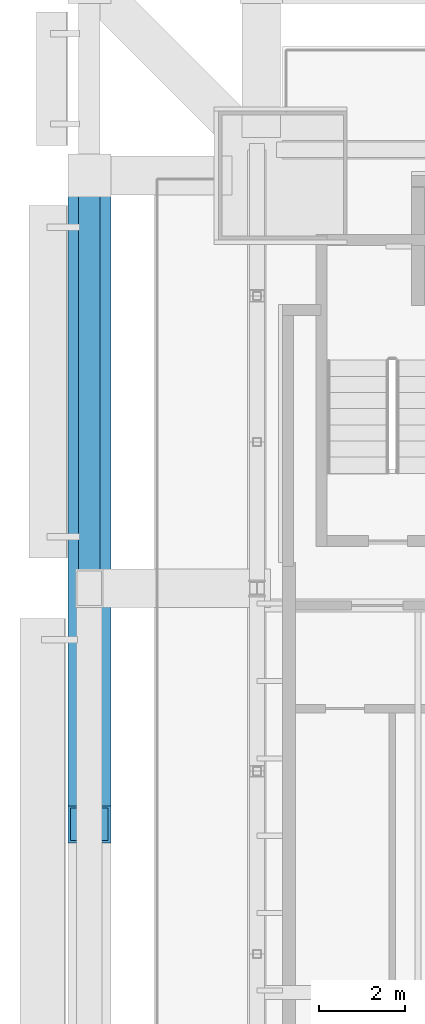
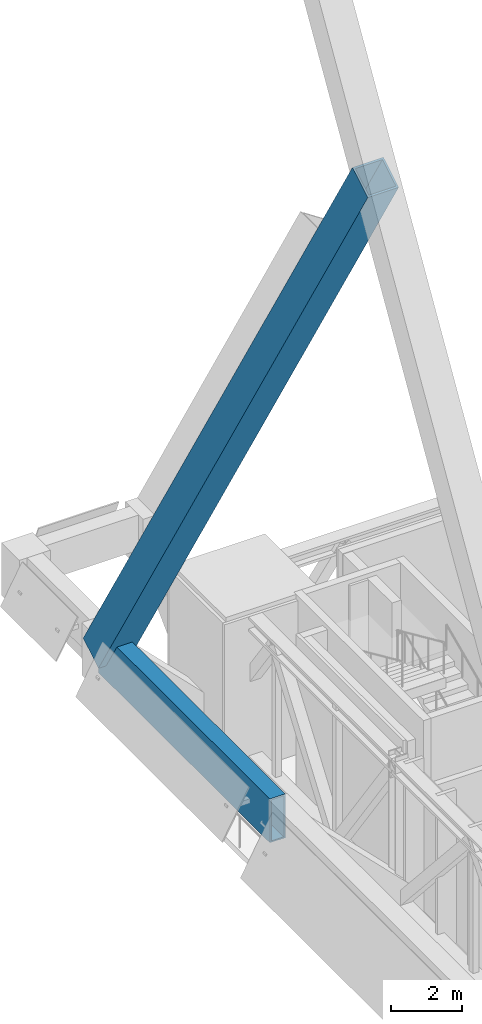
# One storey, part 8 of 32: 1 beam, 1 member.
"""IFC4 building model written with IfcOpenShell, lengths in metres."""

from ifc_helpers import new_model, si_unit, direction, frame, origin, origin_2d, place, context, subcontext, project, spatial, hollow_rectangle, extrude, material, material_profile, profile_set, type_object, element, save


model = new_model("IFC4")

# Units and contexts
model_context = context("Model", 3, precision=1e-05, world=origin(), true_north=direction((0.0, 1.0)))
body_context = subcontext(model_context, "Body", "Model", "MODEL_VIEW")
ifc_project = project(units=[si_unit("LENGTHUNIT", "METRE"), si_unit("AREAUNIT", "SQUARE_METRE"), si_unit("VOLUMEUNIT", "CUBIC_METRE"), si_unit("PLANEANGLEUNIT", "RADIAN"), si_unit("MASSUNIT", "GRAM", prefix="KILO")], contexts=[model_context])

# Site, building, storey
site_placement = place(None, origin())
site = spatial("IfcSite", under=ifc_project, at=site_placement, CompositionType="ELEMENT")
building_placement = place(site_placement, origin())
building = spatial("IfcBuilding", under=site, at=building_placement, Name="Bicima Exchange Tower", CompositionType="ELEMENT")
storey_placement = place(building_placement, frame((0.0, 0.0, 135.0)))
storey = spatial("IfcBuildingStorey", under=building, at=storey_placement, Name="L29", CompositionType="ELEMENT", Elevation=135.0)

# Beam
ifc_material = material(Name="Steel ASTM A572 Gr 50", Category="steel")
ifc_material_profile_1 = material_profile(ifc_material, hollow_rectangle(XDim=0.5, YDim=1.5, WallThickness=0.050048828125, at=origin_2d()))
ifc_profile_set_1 = profile_set([ifc_material_profile_1], Name="Steel ASTM A572 Gr 50")
beam_type = type_object("IfcBeamType", Name="Belt girder BOX 500x1500x50", PredefinedType="BEAM", material=ifc_profile_set_1)
beam_placement = place(storey_placement, frame((-37.5, -3.0, 4.5), z_axis=(0.0, -1.0, 0.0), x_axis=(1.0, 0.0, 0.0)))
element("IfcBeam", 1, at=beam_placement, inside=storey, type_object=beam_type, Name="Belt girder", PredefinedType="BEAM", context=body_context, shape_type="SweptSolid", body=[
    extrude(hollow_rectangle(XDim=0.5, YDim=1.5, WallThickness=0.050048828125, at=origin_2d()), origin(), (0.0, 0.0, 1.0), 9.60009765625),
])

# Member
ifc_material_profile_2 = material_profile(ifc_material, hollow_rectangle(XDim=1.0, YDim=1.0, WallThickness=0.06005859375, at=origin_2d()))
ifc_profile_set_2 = profile_set([ifc_material_profile_2], Name="Steel ASTM A572 Gr 50")
member_type = type_object("IfcMemberType", Name="Exo mega brace BOX 1000x1000x60", PredefinedType="BRACE", material=ifc_profile_set_2)
member_placement = place(storey_placement, frame((-37.5, -3.0, 4.5), z_axis=(0.0, -0.513052396065, 0.858357290929), x_axis=(1.0, 0.0, 0.0)))
element("IfcMember", 2, at=member_placement, inside=storey, type_object=member_type, Name="Exo mega brace end", PredefinedType="BRACE", context=body_context, shape_type="SweptSolid", body=[
    extrude(hollow_rectangle(XDim=1.0, YDim=1.0, WallThickness=0.06005859375, at=origin_2d()), origin(), (0.0, 0.0, 1.0), 29.416748046875),
])

save(model, "model.ifc")
